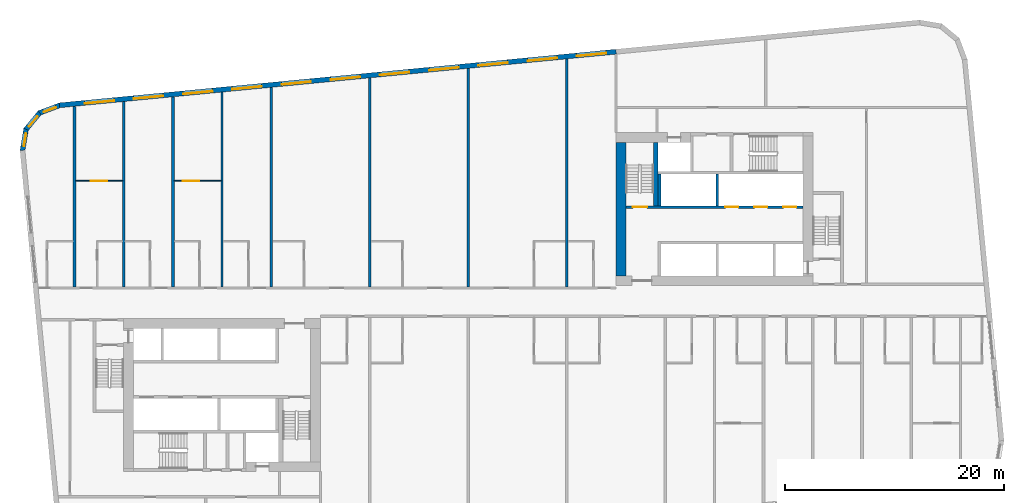
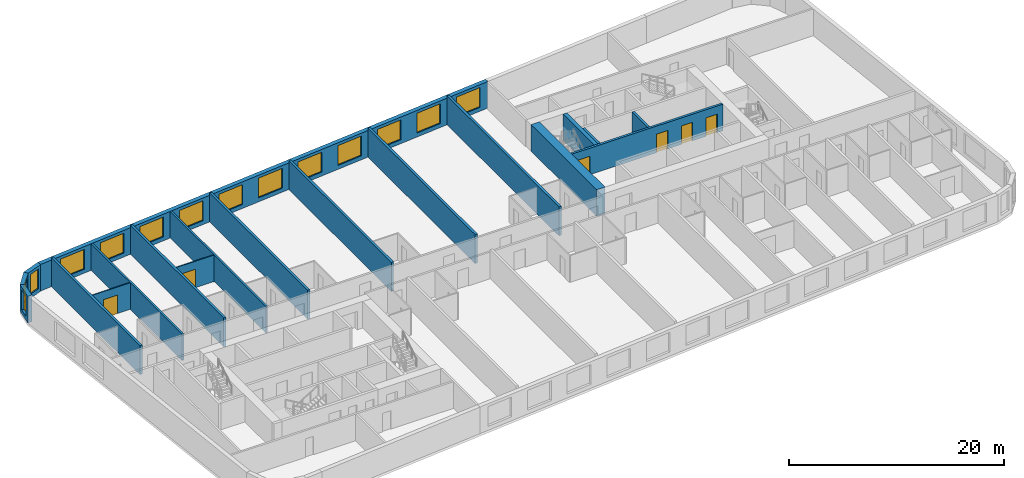
# One storey, part 6 of 12: 19 walls, 14 windows, 6 doors, 20 openings.
"""IFC4 building model written with IfcOpenShell, lengths in metres."""

from ifc_helpers import new_model, si_unit, direction, frame, frame_2d, origin, place, context, subcontext, project, spatial, polyline, rectangle, outline, extrude, material, layer, layer_set, type_object, element, fill, save


model = new_model("IFC4")

# Units and contexts
model_context = context("Model", 3, precision=1e-05, world=origin(), true_north=direction((0.0, 1.0)))
body_context = subcontext(model_context, "Body", "Model", "MODEL_VIEW")
ifc_project = project(units=[si_unit("LENGTHUNIT", "METRE"), si_unit("AREAUNIT", "SQUARE_METRE"), si_unit("VOLUMEUNIT", "CUBIC_METRE"), si_unit("PLANEANGLEUNIT", "RADIAN"), si_unit("MASSUNIT", "GRAM", prefix="KILO")], contexts=[model_context])

# Site, building, storey
site_placement = place(None, origin())
site = spatial("IfcSite", under=ifc_project, at=site_placement, CompositionType="ELEMENT")
building_placement = place(site_placement, origin())
building = spatial("IfcBuilding", under=site, at=building_placement, Name="Kajstack Hotel Tower", CompositionType="ELEMENT")
storey_placement = place(building_placement, frame((0.0, 0.0, 127.300048828125)))
storey = spatial("IfcBuildingStorey", under=building, at=storey_placement, Name="L28", CompositionType="ELEMENT", Elevation=127.300048828125)

# Walls
ifc_material_1 = material(Name="Concrete C60/75", Category="concrete")
ifc_layer_1 = layer(ifc_material_1, 0.89990234375)
ifc_layer_set_1 = layer_set([ifc_layer_1], Name="Core wall 900")
wall_type_1 = type_object("IfcWallType", Name="Core wall 900", PredefinedType="SHEAR", material=ifc_layer_set_1)
wall_1_placement = place(storey_placement, frame((13.949951171875, 2.39990234375, 0.0), z_axis=(0.0, 0.0, 1.0), x_axis=(0.0, 1.0, 0.0)))
element("IfcWall", 1, at=wall_1_placement, inside=storey, type_object=wall_type_1, Name="Core wall E RE", PredefinedType="SHEAR", context=body_context, shape_type="SweptSolid", body=[
    extrude(rectangle(XDim=12.2001953125, YDim=0.89990234375, at=frame_2d((6.10009765625, 0.0))), origin(), (0.0, 0.0, 1.0), 3.02001953125),
])
ifc_material_2 = material(Name="Twin-frame gypsum board on steel studs, mineral wool", Category="steel")
ifc_layer_2 = layer(ifc_material_2, 0.199951171875)
ifc_layer_set_2 = layer_set([ifc_layer_2], Name="Demising wall 200")
wall_type_2 = type_object("IfcWallType", Name="Demising wall 200", PredefinedType="PARTITIONING", material=ifc_layer_set_2)
wall_2_placement = place(storey_placement, frame((-31.5, 1.39990234375, 0.0), z_axis=(0.0, 0.0, 1.0), x_axis=(0.0, 1.0, 0.0)))
element("IfcWall", 2, at=wall_2_placement, inside=storey, type_object=wall_type_2, Name="G-wall-L28-006", PredefinedType="PARTITIONING", context=body_context, shape_type="SweptSolid", body=[
    extrude(rectangle(XDim=16.92919921875, YDim=0.199951171875, at=frame_2d((8.464599609375, 0.0))), origin(), (0.0, 0.0, 1.0), 3.02001953125),
])
wall_3_placement = place(storey_placement, frame((-22.5, 1.39990234375, 0.0), z_axis=(0.0, 0.0, 1.0), x_axis=(0.0, 1.0, 0.0)))
element("IfcWall", 3, at=wall_3_placement, inside=storey, type_object=wall_type_2, Name="G-wall-L28-012", PredefinedType="PARTITIONING", context=body_context, shape_type="SweptSolid", body=[
    extrude(rectangle(XDim=17.796142578125, YDim=0.199951171875, at=frame_2d((8.89794921875, 0.0))), origin(), (0.0, 0.0, 1.0), 3.02001953125),
])

# Wall, openings, windows
ifc_material_3 = material(Name="Terracotta-faced brick masonry", Category="masonry")
ifc_layer_3 = layer(ifc_material_3, 0.449951171875)
ifc_layer_set_3 = layer_set([ifc_layer_3], Name="EW-TERRA")
wall_type_3 = type_object("IfcWallType", Name="EW-TERRA", PredefinedType="SOLIDWALL", material=ifc_layer_set_3)
wall_4_placement = place(storey_placement, frame((13.521484375, 22.89013671875, 0.0), z_axis=(0.0, 0.0, 1.0), x_axis=(-0.995396445054, -0.095843190545, 0.0)))
wall_4 = element("IfcWall", 4, at=wall_4_placement, inside=storey, type_object=wall_type_3, Name="E-wall-L28-12-02", PredefinedType="SOLIDWALL", context=body_context, shape_type="SweptSolid", body=[
    extrude(rectangle(XDim=51.114013671875, YDim=0.449951171875, at=frame_2d((25.55712890625, 0.0))), origin(), (0.0, 0.0, 1.0), 3.02001953125),
])
opening_1_placement = place(wall_4_placement, frame((0.910400390625, 0.0, 0.449951171875)))
opening_1 = element("IfcOpeningElement", 5, at=opening_1_placement, cuts=wall_4, Name="Opening W1", PredefinedType="OPENING", context=body_context, shape_type="SweptSolid", body=[
    extrude(rectangle(XDim=2.699951171875, YDim=2.25, at=frame_2d((1.35009765625, 1.125))), frame((0.0, 0.23486328125, 0.0), z_axis=(0.0, -1.0, 0.0), x_axis=(1.0, 0.0, 0.0)), (0.0, 0.0, 1.0), 0.469970703125),
])
opening_2_placement = place(wall_4_placement, frame((5.43115234375, 0.0, 0.449951171875)))
opening_2 = element("IfcOpeningElement", 6, at=opening_2_placement, cuts=wall_4, Name="Opening W1", PredefinedType="OPENING", context=body_context, shape_type="SweptSolid", body=[
    extrude(rectangle(XDim=2.699951171875, YDim=2.25, at=frame_2d((1.35009765625, 1.125))), frame((0.0, 0.23486328125, 0.0), z_axis=(0.0, -1.0, 0.0), x_axis=(1.0, 0.0, 0.0)), (0.0, 0.0, 1.0), 0.469970703125),
])
opening_3_placement = place(wall_4_placement, frame((9.951904296875, 0.0, 0.449951171875)))
opening_3 = element("IfcOpeningElement", 7, at=opening_3_placement, cuts=wall_4, Name="Opening W1", PredefinedType="OPENING", context=body_context, shape_type="SweptSolid", body=[
    extrude(rectangle(XDim=2.699951171875, YDim=2.25, at=frame_2d((1.35009765625, 1.125))), frame((0.0, 0.23486328125, 0.0), z_axis=(0.0, -1.0, 0.0), x_axis=(1.0, 0.0, 0.0)), (0.0, 0.0, 1.0), 0.469970703125),
])
opening_4_placement = place(wall_4_placement, frame((14.472900390625, 0.0, 0.449951171875)))
opening_4 = element("IfcOpeningElement", 8, at=opening_4_placement, cuts=wall_4, Name="Opening W1", PredefinedType="OPENING", context=body_context, shape_type="SweptSolid", body=[
    extrude(rectangle(XDim=2.699951171875, YDim=2.25, at=frame_2d((1.35009765625, 1.125))), frame((0.0, 0.23486328125, 0.0), z_axis=(0.0, -1.0, 0.0), x_axis=(1.0, 0.0, 0.0)), (0.0, 0.0, 1.0), 0.469970703125),
])
opening_5_placement = place(wall_4_placement, frame((18.99365234375, 0.0, 0.449951171875)))
opening_5 = element("IfcOpeningElement", 9, at=opening_5_placement, cuts=wall_4, Name="Opening W1", PredefinedType="OPENING", context=body_context, shape_type="SweptSolid", body=[
    extrude(rectangle(XDim=2.699951171875, YDim=2.25, at=frame_2d((1.35009765625, 1.125))), frame((0.0, 0.23486328125, 0.0), z_axis=(0.0, -1.0, 0.0), x_axis=(1.0, 0.0, 0.0)), (0.0, 0.0, 1.0), 0.469970703125),
])
opening_6_placement = place(wall_4_placement, frame((23.514404296875, 0.0, 0.449951171875)))
opening_6 = element("IfcOpeningElement", 10, at=opening_6_placement, cuts=wall_4, Name="Opening W1", PredefinedType="OPENING", context=body_context, shape_type="SweptSolid", body=[
    extrude(rectangle(XDim=2.699951171875, YDim=2.25, at=frame_2d((1.35009765625, 1.125))), frame((0.0, 0.23486328125, 0.0), z_axis=(0.0, -1.0, 0.0), x_axis=(1.0, 0.0, 0.0)), (0.0, 0.0, 1.0), 0.469970703125),
])
opening_7_placement = place(wall_4_placement, frame((28.035400390625, 0.0, 0.449951171875)))
opening_7 = element("IfcOpeningElement", 11, at=opening_7_placement, cuts=wall_4, Name="Opening W1", PredefinedType="OPENING", context=body_context, shape_type="SweptSolid", body=[
    extrude(rectangle(XDim=2.699951171875, YDim=2.25, at=frame_2d((1.35009765625, 1.125))), frame((0.0, 0.23486328125, 0.0), z_axis=(0.0, -1.0, 0.0), x_axis=(1.0, 0.0, 0.0)), (0.0, 0.0, 1.0), 0.469970703125),
])
opening_8_placement = place(wall_4_placement, frame((32.55615234375, 0.0, 0.449951171875)))
opening_8 = element("IfcOpeningElement", 12, at=opening_8_placement, cuts=wall_4, Name="Opening W1", PredefinedType="OPENING", context=body_context, shape_type="SweptSolid", body=[
    extrude(rectangle(XDim=2.699951171875, YDim=2.25, at=frame_2d((1.35009765625, 1.125))), frame((0.0, 0.23486328125, 0.0), z_axis=(0.0, -1.0, 0.0), x_axis=(1.0, 0.0, 0.0)), (0.0, 0.0, 1.0), 0.469970703125),
])
opening_9_placement = place(wall_4_placement, frame((37.076904296875, 0.0, 0.449951171875)))
opening_9 = element("IfcOpeningElement", 13, at=opening_9_placement, cuts=wall_4, Name="Opening W1", PredefinedType="OPENING", context=body_context, shape_type="SweptSolid", body=[
    extrude(rectangle(XDim=2.699951171875, YDim=2.25, at=frame_2d((1.35009765625, 1.125))), frame((0.0, 0.23486328125, 0.0), z_axis=(0.0, -1.0, 0.0), x_axis=(1.0, 0.0, 0.0)), (0.0, 0.0, 1.0), 0.469970703125),
])
opening_10_placement = place(wall_4_placement, frame((41.59765625, 0.0, 0.449951171875)))
opening_10 = element("IfcOpeningElement", 14, at=opening_10_placement, cuts=wall_4, Name="Opening W1", PredefinedType="OPENING", context=body_context, shape_type="SweptSolid", body=[
    extrude(rectangle(XDim=2.699951171875, YDim=2.25, at=frame_2d((1.35009765625, 1.125))), frame((0.0, 0.23486328125, 0.0), z_axis=(0.0, -1.0, 0.0), x_axis=(1.0, 0.0, 0.0)), (0.0, 0.0, 1.0), 0.469970703125),
])
opening_11_placement = place(wall_4_placement, frame((46.118408203125, 0.0, 0.449951171875)))
opening_11 = element("IfcOpeningElement", 15, at=opening_11_placement, cuts=wall_4, Name="Opening W1", PredefinedType="OPENING", context=body_context, shape_type="SweptSolid", body=[
    extrude(rectangle(XDim=2.699951171875, YDim=2.25, at=frame_2d((1.35009765625, 1.125))), frame((0.0, 0.23486328125, 0.0), z_axis=(0.0, -1.0, 0.0), x_axis=(1.0, 0.0, 0.0)), (0.0, 0.0, 1.0), 0.469970703125),
])
ifc_material_4 = material(Name="Timber-aluminium window, triple glazed", Category="wood")
window_type_1 = type_object("IfcWindowType", Name="WG1", PartitioningType="SINGLE_PANEL", PredefinedType="WINDOW", material=ifc_material_4)
window_1_placement = place(opening_1_placement, origin())
window_1 = element("IfcWindow", 16, at=window_1_placement, inside=storey, type_object=window_type_1, Name="Window W1 L28-12", OverallHeight=2.25, OverallWidth=2.699951171875, PartitioningType="SINGLE_PANEL", PredefinedType="WINDOW", context=body_context, shape_type="SweptSolid", body=[
    extrude(rectangle(XDim=2.699951171875, YDim=2.25, at=frame_2d((1.35009765625, 1.125))), frame((0.0, 0.090087890625, 0.0), z_axis=(0.0, -1.0, 0.0), x_axis=(1.0, 0.0, 0.0)), (0.0, 0.0, 1.0), 0.06005859375),
])
fill(opening_1, window_1)
window_2_placement = place(opening_2_placement, origin())
window_2 = element("IfcWindow", 17, at=window_2_placement, inside=storey, type_object=window_type_1, Name="Window W1 L28-12", OverallHeight=2.25, OverallWidth=2.699951171875, PartitioningType="SINGLE_PANEL", PredefinedType="WINDOW", context=body_context, shape_type="SweptSolid", body=[
    extrude(rectangle(XDim=2.699951171875, YDim=2.25, at=frame_2d((1.35009765625, 1.125))), frame((0.0, 0.090087890625, 0.0), z_axis=(0.0, -1.0, 0.0), x_axis=(1.0, 0.0, 0.0)), (0.0, 0.0, 1.0), 0.06005859375),
])
fill(opening_2, window_2)
window_3_placement = place(opening_3_placement, origin())
window_3 = element("IfcWindow", 18, at=window_3_placement, inside=storey, type_object=window_type_1, Name="Window W1 L28-12", OverallHeight=2.25, OverallWidth=2.699951171875, PartitioningType="SINGLE_PANEL", PredefinedType="WINDOW", context=body_context, shape_type="SweptSolid", body=[
    extrude(rectangle(XDim=2.699951171875, YDim=2.25, at=frame_2d((1.35009765625, 1.125))), frame((0.0, 0.090087890625, 0.0), z_axis=(0.0, -1.0, 0.0), x_axis=(1.0, 0.0, 0.0)), (0.0, 0.0, 1.0), 0.06005859375),
])
fill(opening_3, window_3)
window_4_placement = place(opening_4_placement, origin())
window_4 = element("IfcWindow", 19, at=window_4_placement, inside=storey, type_object=window_type_1, Name="Window W1 L28-12", OverallHeight=2.25, OverallWidth=2.699951171875, PartitioningType="SINGLE_PANEL", PredefinedType="WINDOW", context=body_context, shape_type="SweptSolid", body=[
    extrude(rectangle(XDim=2.699951171875, YDim=2.25, at=frame_2d((1.35009765625, 1.125))), frame((0.0, 0.090087890625, 0.0), z_axis=(0.0, -1.0, 0.0), x_axis=(1.0, 0.0, 0.0)), (0.0, 0.0, 1.0), 0.06005859375),
])
fill(opening_4, window_4)
window_5_placement = place(opening_5_placement, origin())
window_5 = element("IfcWindow", 20, at=window_5_placement, inside=storey, type_object=window_type_1, Name="Window W1 L28-12", OverallHeight=2.25, OverallWidth=2.699951171875, PartitioningType="SINGLE_PANEL", PredefinedType="WINDOW", context=body_context, shape_type="SweptSolid", body=[
    extrude(rectangle(XDim=2.699951171875, YDim=2.25, at=frame_2d((1.35009765625, 1.125))), frame((0.0, 0.090087890625, 0.0), z_axis=(0.0, -1.0, 0.0), x_axis=(1.0, 0.0, 0.0)), (0.0, 0.0, 1.0), 0.06005859375),
])
fill(opening_5, window_5)
window_6_placement = place(opening_6_placement, origin())
window_6 = element("IfcWindow", 21, at=window_6_placement, inside=storey, type_object=window_type_1, Name="Window W1 L28-12", OverallHeight=2.25, OverallWidth=2.699951171875, PartitioningType="SINGLE_PANEL", PredefinedType="WINDOW", context=body_context, shape_type="SweptSolid", body=[
    extrude(rectangle(XDim=2.699951171875, YDim=2.25, at=frame_2d((1.35009765625, 1.125))), frame((0.0, 0.090087890625, 0.0), z_axis=(0.0, -1.0, 0.0), x_axis=(1.0, 0.0, 0.0)), (0.0, 0.0, 1.0), 0.06005859375),
])
fill(opening_6, window_6)
window_7_placement = place(opening_7_placement, origin())
window_7 = element("IfcWindow", 22, at=window_7_placement, inside=storey, type_object=window_type_1, Name="Window W1 L28-12", OverallHeight=2.25, OverallWidth=2.699951171875, PartitioningType="SINGLE_PANEL", PredefinedType="WINDOW", context=body_context, shape_type="SweptSolid", body=[
    extrude(rectangle(XDim=2.699951171875, YDim=2.25, at=frame_2d((1.35009765625, 1.125))), frame((0.0, 0.090087890625, 0.0), z_axis=(0.0, -1.0, 0.0), x_axis=(1.0, 0.0, 0.0)), (0.0, 0.0, 1.0), 0.06005859375),
])
fill(opening_7, window_7)
window_8_placement = place(opening_8_placement, origin())
window_8 = element("IfcWindow", 23, at=window_8_placement, inside=storey, type_object=window_type_1, Name="Window W1 L28-12", OverallHeight=2.25, OverallWidth=2.699951171875, PartitioningType="SINGLE_PANEL", PredefinedType="WINDOW", context=body_context, shape_type="SweptSolid", body=[
    extrude(rectangle(XDim=2.699951171875, YDim=2.25, at=frame_2d((1.35009765625, 1.125))), frame((0.0, 0.090087890625, 0.0), z_axis=(0.0, -1.0, 0.0), x_axis=(1.0, 0.0, 0.0)), (0.0, 0.0, 1.0), 0.06005859375),
])
fill(opening_8, window_8)
window_9_placement = place(opening_9_placement, origin())
window_9 = element("IfcWindow", 24, at=window_9_placement, inside=storey, type_object=window_type_1, Name="Window W1 L28-12", OverallHeight=2.25, OverallWidth=2.699951171875, PartitioningType="SINGLE_PANEL", PredefinedType="WINDOW", context=body_context, shape_type="SweptSolid", body=[
    extrude(rectangle(XDim=2.699951171875, YDim=2.25, at=frame_2d((1.35009765625, 1.125))), frame((0.0, 0.090087890625, 0.0), z_axis=(0.0, -1.0, 0.0), x_axis=(1.0, 0.0, 0.0)), (0.0, 0.0, 1.0), 0.06005859375),
])
fill(opening_9, window_9)
window_10_placement = place(opening_10_placement, origin())
window_10 = element("IfcWindow", 25, at=window_10_placement, inside=storey, type_object=window_type_1, Name="Window W1 L28-12", OverallHeight=2.25, OverallWidth=2.699951171875, PartitioningType="SINGLE_PANEL", PredefinedType="WINDOW", context=body_context, shape_type="SweptSolid", body=[
    extrude(rectangle(XDim=2.699951171875, YDim=2.25, at=frame_2d((1.35009765625, 1.125))), frame((0.0, 0.090087890625, 0.0), z_axis=(0.0, -1.0, 0.0), x_axis=(1.0, 0.0, 0.0)), (0.0, 0.0, 1.0), 0.06005859375),
])
fill(opening_10, window_10)
window_11_placement = place(opening_11_placement, origin())
window_11 = element("IfcWindow", 26, at=window_11_placement, inside=storey, type_object=window_type_1, Name="Window W1 L28-12", OverallHeight=2.25, OverallWidth=2.699951171875, PartitioningType="SINGLE_PANEL", PredefinedType="WINDOW", context=body_context, shape_type="SweptSolid", body=[
    extrude(rectangle(XDim=2.699951171875, YDim=2.25, at=frame_2d((1.35009765625, 1.125))), frame((0.0, 0.090087890625, 0.0), z_axis=(0.0, -1.0, 0.0), x_axis=(1.0, 0.0, 0.0)), (0.0, 0.0, 1.0), 0.06005859375),
])
fill(opening_11, window_11)

# Wall, opening, window
wall_5_placement = place(storey_placement, frame((-37.300048828125, 18.00439453125, 0.0), z_axis=(0.0, 0.0, 1.0), x_axis=(-0.936677599948, -0.350192909346, 0.0)))
wall_5 = element("IfcWall", 27, at=wall_5_placement, inside=storey, type_object=wall_type_3, Name="E-wall-L28-13-00", PredefinedType="SOLIDWALL", context=body_context, shape_type="SweptSolid", body=[
    extrude(outline(polyline([(0.0, -0.224853515625), (2.070556640625, -0.224853515625), (1.949951171875, 0.22509765625), (0.12060546875, 0.22509765625), (0.0, -0.224853515625)])), origin(), (0.0, 0.0, 1.0), 3.02001953125),
])
opening_12_placement = place(wall_5_placement, frame((0.435302734375, 0.0, 0.449951171875)))
opening_12 = element("IfcOpeningElement", 28, at=opening_12_placement, cuts=wall_5, Name="Opening W3", PredefinedType="OPENING", context=body_context, shape_type="SweptSolid", body=[
    extrude(rectangle(XDim=1.199951171875, YDim=2.25, at=frame_2d((0.60009765625, 1.125))), frame((0.0, 0.23486328125, 0.0), z_axis=(0.0, -1.0, 0.0), x_axis=(1.0, 0.0, 0.0)), (0.0, 0.0, 1.0), 0.469970703125),
])
window_type_2 = type_object("IfcWindowType", Name="WG3", PartitioningType="SINGLE_PANEL", PredefinedType="WINDOW", material=ifc_material_4)
window_12_placement = place(opening_12_placement, origin())
window_12 = element("IfcWindow", 29, at=window_12_placement, inside=storey, type_object=window_type_2, Name="Window W3 L28-13", OverallHeight=2.25, OverallWidth=1.199951171875, PartitioningType="SINGLE_PANEL", PredefinedType="WINDOW", context=body_context, shape_type="SweptSolid", body=[
    extrude(rectangle(XDim=1.199951171875, YDim=2.25, at=frame_2d((0.60009765625, 1.125))), frame((0.0, 0.090087890625, 0.0), z_axis=(0.0, -1.0, 0.0), x_axis=(1.0, 0.0, 0.0)), (0.0, 0.0, 1.0), 0.06005859375),
])
fill(opening_12, window_12)

wall_6_placement = place(storey_placement, frame((-39.144775390625, 17.346923828125, 0.0), z_axis=(0.0, 0.0, 1.0), x_axis=(-0.636046112757, -0.771651049663, 0.0)))
wall_6 = element("IfcWall", 30, at=wall_6_placement, inside=storey, type_object=wall_type_3, Name="E-wall-L28-14-00", PredefinedType="SOLIDWALL", context=body_context, shape_type="SweptSolid", body=[
    extrude(outline(polyline([(0.0, -0.224853515625), (2.070556640625, -0.224853515625), (1.949951171875, 0.22509765625), (0.12060546875, 0.22509765625), (0.0, -0.224853515625)])), origin(), (0.0, 0.0, 1.0), 3.02001953125),
])
opening_13_placement = place(wall_6_placement, frame((0.435302734375, 0.0, 0.449951171875)))
opening_13 = element("IfcOpeningElement", 31, at=opening_13_placement, cuts=wall_6, Name="Opening W3", PredefinedType="OPENING", context=body_context, shape_type="SweptSolid", body=[
    extrude(rectangle(XDim=1.199951171875, YDim=2.25, at=frame_2d((0.60009765625, 1.125))), frame((0.0, 0.23486328125, 0.0), z_axis=(0.0, -1.0, 0.0), x_axis=(1.0, 0.0, 0.0)), (0.0, 0.0, 1.0), 0.469970703125),
])
window_13_placement = place(opening_13_placement, origin())
window_13 = element("IfcWindow", 32, at=window_13_placement, inside=storey, type_object=window_type_2, Name="Window W3 L28-14", OverallHeight=2.25, OverallWidth=1.199951171875, PartitioningType="SINGLE_PANEL", PredefinedType="WINDOW", context=body_context, shape_type="SweptSolid", body=[
    extrude(rectangle(XDim=1.199951171875, YDim=2.25, at=frame_2d((0.60009765625, 1.125))), frame((0.0, 0.090087890625, 0.0), z_axis=(0.0, -1.0, 0.0), x_axis=(1.0, 0.0, 0.0)), (0.0, 0.0, 1.0), 0.06005859375),
])
fill(opening_13, window_13)

wall_7_placement = place(storey_placement, frame((-40.413330078125, 15.855224609375, 0.0), z_axis=(0.0, 0.0, 1.0), x_axis=(-0.165068144653, -0.986282164302, 0.0)))
wall_7 = element("IfcWall", 33, at=wall_7_placement, inside=storey, type_object=wall_type_3, Name="E-wall-L28-15-00", PredefinedType="SOLIDWALL", context=body_context, shape_type="SweptSolid", body=[
    extrude(outline(polyline([(0.0, -0.22509765625), (2.070556640625, -0.224853515625), (1.9501953125, 0.22509765625), (0.12060546875, 0.224853515625), (0.0, -0.22509765625)])), origin(), (0.0, 0.0, 1.0), 3.02001953125),
])
opening_14_placement = place(wall_7_placement, frame((0.435302734375, 0.0, 0.449951171875)))
opening_14 = element("IfcOpeningElement", 34, at=opening_14_placement, cuts=wall_7, Name="Opening W3", PredefinedType="OPENING", context=body_context, shape_type="SweptSolid", body=[
    extrude(rectangle(XDim=1.199951171875, YDim=2.25, at=frame_2d((0.60009765625, 1.125))), frame((0.0, 0.23486328125, 0.0), z_axis=(0.0, -1.0, 0.0), x_axis=(1.0, 0.0, 0.0)), (0.0, 0.0, 1.0), 0.469970703125),
])
window_14_placement = place(opening_14_placement, origin())
window_14 = element("IfcWindow", 35, at=window_14_placement, inside=storey, type_object=window_type_2, Name="Window W3 L28-15", OverallHeight=2.25, OverallWidth=1.199951171875, PartitioningType="SINGLE_PANEL", PredefinedType="WINDOW", context=body_context, shape_type="SweptSolid", body=[
    extrude(rectangle(XDim=1.199951171875, YDim=2.25, at=frame_2d((0.60009765625, 1.125))), frame((0.0, 0.090087890625, 0.0), z_axis=(0.0, -1.0, 0.0), x_axis=(1.0, 0.0, 0.0)), (0.0, 0.0, 1.0), 0.06005859375),
])
fill(opening_14, window_14)

# Wall
ifc_material_5 = material(Name="Concrete C50/60", Category="concrete")
ifc_layer_4 = layer(ifc_material_5, 0.300048828125)
ifc_layer_set_4 = layer_set([ifc_layer_4], Name="Hoistway divider wall 300")
wall_type_4 = type_object("IfcWallType", Name="Hoistway divider wall 300", PredefinedType="SHEAR", material=ifc_layer_set_4)
wall_8_placement = place(storey_placement, frame((22.77490234375, 8.800048828125, 0.0), z_axis=(0.0, 0.0, 1.0), x_axis=(0.0, 1.0, 0.0)))
element("IfcWall", 36, at=wall_8_placement, inside=storey, type_object=wall_type_4, Name="Core wall E BP2", PredefinedType="SHEAR", context=body_context, shape_type="SweptSolid", body=[
    extrude(rectangle(XDim=2.89990234375, YDim=0.25, at=frame_2d((1.449951171875, 0.0))), origin(), (0.0, 0.0, 1.0), 3.02001953125),
])

# Wall, opening, door
ifc_material_6 = material(Name="Gypsum board on steel studs", Category="steel")
ifc_layer_5 = layer(ifc_material_6, 0.10009765625)
ifc_layer_set_5 = layer_set([ifc_layer_5], Name="Partition 100")
wall_type_5 = type_object("IfcWallType", Name="Partition 100", PredefinedType="PARTITIONING", material=ifc_layer_set_5)
wall_9_placement = place(storey_placement, frame((-35.875, 11.074951171875, 0.0), z_axis=(0.0, 0.0, 1.0), x_axis=(1.0, 0.0, 0.0)))
wall_9 = element("IfcWall", 37, at=wall_9_placement, inside=storey, type_object=wall_type_5, Name="G-wall-L28-009", PredefinedType="PARTITIONING", context=body_context, shape_type="SweptSolid", body=[
    extrude(rectangle(XDim=4.27490234375, YDim=0.10009765625, at=frame_2d((2.137451171875, 0.0))), origin(), (0.0, 0.0, 1.0), 3.02001953125),
])
opening_15_placement = place(wall_9_placement, frame((1.387939453125, 0.0, 0.0)))
opening_15 = element("IfcOpeningElement", 38, at=opening_15_placement, cuts=wall_9, Name="Opening 28005", PredefinedType="OPENING", context=body_context, shape_type="SweptSolid", body=[
    extrude(rectangle(XDim=1.5, YDim=2.10009765625, at=frame_2d((0.75, 1.050048828125))), frame((0.0, 0.06005859375, 0.0), z_axis=(0.0, -1.0, 0.0), x_axis=(1.0, 0.0, 0.0)), (0.0, 0.0, 1.0), 0.1201171875),
])
ifc_material_7 = material(Name="Painted timber door leaves, glazed panels", Category="wood")
door_type_1 = type_object("IfcDoorType", Name="Double door 1500", OperationType="SINGLE_SWING_LEFT", PredefinedType="DOOR", material=ifc_material_7)
door_1_placement = place(opening_15_placement, origin())
door_1 = element("IfcDoor", 39, at=door_1_placement, inside=storey, type_object=door_type_1, Name="G-door-L28-05", OperationType="SINGLE_SWING_LEFT", OverallHeight=2.10009765625, OverallWidth=1.5, PredefinedType="DOOR", context=body_context, shape_type="SweptSolid", body=[
    extrude(rectangle(XDim=1.5, YDim=2.10009765625, at=frame_2d((0.75, 1.050048828125))), frame((0.0, 0.02490234375, 0.0), z_axis=(0.0, -1.0, 0.0), x_axis=(1.0, 0.0, 0.0)), (0.0, 0.0, 1.0), 0.050048828125),
])
fill(opening_15, door_1)

wall_10_placement = place(storey_placement, frame((-26.875, 11.074951171875, 0.0), z_axis=(0.0, 0.0, 1.0), x_axis=(1.0, 0.0, 0.0)))
wall_10 = element("IfcWall", 40, at=wall_10_placement, inside=storey, type_object=wall_type_5, Name="G-wall-L28-015", PredefinedType="PARTITIONING", context=body_context, shape_type="SweptSolid", body=[
    extrude(rectangle(XDim=4.27490234375, YDim=0.10009765625, at=frame_2d((2.137451171875, 0.0))), origin(), (0.0, 0.0, 1.0), 3.02001953125),
])
opening_16_placement = place(wall_10_placement, frame((0.787109375, 0.0, 0.0)))
opening_16 = element("IfcOpeningElement", 41, at=opening_16_placement, cuts=wall_10, Name="Opening 28010", PredefinedType="OPENING", context=body_context, shape_type="SweptSolid", body=[
    extrude(rectangle(XDim=1.5, YDim=2.10009765625, at=frame_2d((0.75, 1.050048828125))), frame((0.0, 0.06005859375, 0.0), z_axis=(0.0, -1.0, 0.0), x_axis=(1.0, 0.0, 0.0)), (0.0, 0.0, 1.0), 0.1201171875),
])
door_2_placement = place(opening_16_placement, origin())
door_2 = element("IfcDoor", 42, at=door_2_placement, inside=storey, type_object=door_type_1, Name="G-door-L28-10", OperationType="SINGLE_SWING_LEFT", OverallHeight=2.10009765625, OverallWidth=1.5, PredefinedType="DOOR", context=body_context, shape_type="SweptSolid", body=[
    extrude(rectangle(XDim=1.5, YDim=2.10009765625, at=frame_2d((0.75, 1.050048828125))), frame((0.0, 0.02490234375, 0.0), z_axis=(0.0, -1.0, 0.0), x_axis=(1.0, 0.0, 0.0)), (0.0, 0.0, 1.0), 0.050048828125),
])
fill(opening_16, door_2)

# Walls
ifc_material_8 = material(Name="Concrete C55/67", Category="concrete")
ifc_layer_6 = layer(ifc_material_8, 0.25)
ifc_layer_set_6 = layer_set([ifc_layer_6], Name="RC cross wall 250 C55/67")
wall_type_6 = type_object("IfcWallType", Name="RC cross wall 250 C55/67", PredefinedType="SHEAR", material=ifc_layer_set_6)
wall_11_placement = place(storey_placement, frame((-36.0, 1.39990234375, 0.0), z_axis=(0.0, 0.0, 1.0), x_axis=(0.0, 1.0, 0.0)))
element("IfcWall", 43, at=wall_11_placement, inside=storey, type_object=wall_type_6, Name="S-wall-L28-01", PredefinedType="SHEAR", context=body_context, shape_type="SweptSolid", body=[
    extrude(rectangle(XDim=16.473876953125, YDim=0.25, at=frame_2d((8.23681640625, 0.0))), origin(), (0.0, 0.0, 1.0), 3.300048828125),
])
wall_12_placement = place(storey_placement, frame((-27.0, 1.39990234375, 0.0), z_axis=(0.0, 0.0, 1.0), x_axis=(0.0, 1.0, 0.0)))
element("IfcWall", 44, at=wall_12_placement, inside=storey, type_object=wall_type_6, Name="S-wall-L28-02", PredefinedType="SHEAR", context=body_context, shape_type="SweptSolid", body=[
    extrude(rectangle(XDim=17.34033203125, YDim=0.25, at=frame_2d((8.670166015625, 0.0))), origin(), (0.0, 0.0, 1.0), 3.300048828125),
])
wall_13_placement = place(storey_placement, frame((-18.0, 1.39990234375, 0.0), z_axis=(0.0, 0.0, 1.0), x_axis=(0.0, 1.0, 0.0)))
element("IfcWall", 45, at=wall_13_placement, inside=storey, type_object=wall_type_6, Name="S-wall-L28-03", PredefinedType="SHEAR", context=body_context, shape_type="SweptSolid", body=[
    extrude(rectangle(XDim=18.20703125, YDim=0.25, at=frame_2d((9.103515625, 0.0))), origin(), (0.0, 0.0, 1.0), 3.300048828125),
])
wall_14_placement = place(storey_placement, frame((-9.0, 1.39990234375, 0.0), z_axis=(0.0, 0.0, 1.0), x_axis=(0.0, 1.0, 0.0)))
element("IfcWall", 46, at=wall_14_placement, inside=storey, type_object=wall_type_6, Name="S-wall-L28-05", PredefinedType="SHEAR", context=body_context, shape_type="SweptSolid", body=[
    extrude(rectangle(XDim=19.073486328125, YDim=0.25, at=frame_2d((9.53662109375, 0.0))), origin(), (0.0, 0.0, 1.0), 3.300048828125),
])
wall_15_placement = place(storey_placement, frame((0.0, 1.39990234375, 0.0), z_axis=(0.0, 0.0, 1.0), x_axis=(0.0, 1.0, 0.0)))
element("IfcWall", 47, at=wall_15_placement, inside=storey, type_object=wall_type_6, Name="S-wall-L28-07", PredefinedType="SHEAR", context=body_context, shape_type="SweptSolid", body=[
    extrude(rectangle(XDim=19.940185546875, YDim=0.25, at=frame_2d((9.97021484375, 0.0))), origin(), (0.0, 0.0, 1.0), 3.300048828125),
])
wall_16_placement = place(storey_placement, frame((9.0, 1.39990234375, 0.0), z_axis=(0.0, 0.0, 1.0), x_axis=(0.0, 1.0, 0.0)))
element("IfcWall", 48, at=wall_16_placement, inside=storey, type_object=wall_type_6, Name="S-wall-L28-09", PredefinedType="SHEAR", context=body_context, shape_type="SweptSolid", body=[
    extrude(rectangle(XDim=20.806884765625, YDim=0.25, at=frame_2d((10.4033203125, 0.0))), origin(), (0.0, 0.0, 1.0), 3.300048828125),
])

# Wall, openings, doors
ifc_layer_7 = layer(ifc_material_5, 0.25)
ifc_layer_set_7 = layer_set([ifc_layer_7], Name="Shaft wall 250")
wall_type_7 = type_object("IfcWallType", Name="Shaft wall 250", PredefinedType="SHEAR", material=ifc_layer_set_7)
wall_17_placement = place(storey_placement, frame((14.39990234375, 8.675048828125, 0.0), z_axis=(0.0, 0.0, 1.0), x_axis=(1.0, 0.0, 0.0)))
wall_17 = element("IfcWall", 49, at=wall_17_placement, inside=storey, type_object=wall_type_7, Name="Core wall E FB", PredefinedType="SHEAR", context=body_context, shape_type="SweptSolid", body=[
    extrude(rectangle(XDim=16.2001953125, YDim=0.25, at=frame_2d((8.10009765625, 0.0))), origin(), (0.0, 0.0, 1.0), 3.02001953125),
])
opening_17_placement = place(wall_17_placement, frame((14.39990234375, 0.0, 0.0)))
opening_17 = element("IfcOpeningElement", 50, at=opening_17_placement, cuts=wall_17, Name="Opening LD-LR4", PredefinedType="OPENING", context=body_context, shape_type="SweptSolid", body=[
    extrude(rectangle(XDim=1.199951171875, YDim=2.10009765625, at=frame_2d((0.60009765625, 1.050048828125))), frame((0.0, 0.135009765625, 0.0), z_axis=(0.0, -1.0, 0.0), x_axis=(1.0, 0.0, 0.0)), (0.0, 0.0, 1.0), 0.27001953125),
])
opening_18_placement = place(wall_17_placement, frame((11.75, 0.0, 0.0)))
opening_18 = element("IfcOpeningElement", 51, at=opening_18_placement, cuts=wall_17, Name="Opening LD-LR5", PredefinedType="OPENING", context=body_context, shape_type="SweptSolid", body=[
    extrude(rectangle(XDim=1.199951171875, YDim=2.10009765625, at=frame_2d((0.60009765625, 1.050048828125))), frame((0.0, 0.135009765625, 0.0), z_axis=(0.0, -1.0, 0.0), x_axis=(1.0, 0.0, 0.0)), (0.0, 0.0, 1.0), 0.27001953125),
])
opening_19_placement = place(wall_17_placement, frame((9.10009765625, 0.0, 0.0)))
opening_19 = element("IfcOpeningElement", 52, at=opening_19_placement, cuts=wall_17, Name="Opening LD-LR6", PredefinedType="OPENING", context=body_context, shape_type="SweptSolid", body=[
    extrude(rectangle(XDim=1.199951171875, YDim=2.10009765625, at=frame_2d((0.60009765625, 1.050048828125))), frame((0.0, 0.135009765625, 0.0), z_axis=(0.0, -1.0, 0.0), x_axis=(1.0, 0.0, 0.0)), (0.0, 0.0, 1.0), 0.27001953125),
])
opening_20_placement = place(wall_17_placement, frame((0.64990234375, 0.0, 0.0)))
opening_20 = element("IfcOpeningElement", 53, at=opening_20_placement, cuts=wall_17, Name="Opening 28E10", PredefinedType="OPENING", context=body_context, shape_type="SweptSolid", body=[
    extrude(rectangle(XDim=1.300048828125, YDim=2.10009765625, at=frame_2d((0.64990234375, 1.050048828125))), frame((0.0, 0.135009765625, 0.0), z_axis=(0.0, -1.0, 0.0), x_axis=(1.0, 0.0, 0.0)), (0.0, 0.0, 1.0), 0.27001953125),
])
ifc_material_9 = material(Name="Stainless steel", Category="steel")
door_type_2 = type_object("IfcDoorType", Name="Lift landing door 1200", OperationType="SLIDING_TO_LEFT", PredefinedType="DOOR", material=ifc_material_9)
door_3_placement = place(opening_17_placement, origin())
door_3 = element("IfcDoor", 54, at=door_3_placement, inside=storey, type_object=door_type_2, Name="Landing door LR4", OperationType="SLIDING_TO_LEFT", OverallHeight=2.10009765625, OverallWidth=1.199951171875, PredefinedType="DOOR", context=body_context, shape_type="SweptSolid", body=[
    extrude(rectangle(XDim=1.199951171875, YDim=2.10009765625, at=frame_2d((0.60009765625, 1.050048828125))), frame((0.0, 0.02490234375, 0.0), z_axis=(0.0, -1.0, 0.0), x_axis=(1.0, 0.0, 0.0)), (0.0, 0.0, 1.0), 0.050048828125),
])
fill(opening_17, door_3)
door_4_placement = place(opening_18_placement, origin())
door_4 = element("IfcDoor", 55, at=door_4_placement, inside=storey, type_object=door_type_2, Name="Landing door LR5", OperationType="SLIDING_TO_RIGHT", OverallHeight=2.10009765625, OverallWidth=1.199951171875, PredefinedType="DOOR", context=body_context, shape_type="SweptSolid", body=[
    extrude(rectangle(XDim=1.199951171875, YDim=2.10009765625, at=frame_2d((0.60009765625, 1.050048828125))), frame((0.0, 0.02490234375, 0.0), z_axis=(0.0, -1.0, 0.0), x_axis=(1.0, 0.0, 0.0)), (0.0, 0.0, 1.0), 0.050048828125),
])
fill(opening_18, door_4)
door_5_placement = place(opening_19_placement, origin())
door_5 = element("IfcDoor", 56, at=door_5_placement, inside=storey, type_object=door_type_2, Name="Landing door LR6", OperationType="SLIDING_TO_RIGHT", OverallHeight=2.10009765625, OverallWidth=1.199951171875, PredefinedType="DOOR", context=body_context, shape_type="SweptSolid", body=[
    extrude(rectangle(XDim=1.199951171875, YDim=2.10009765625, at=frame_2d((0.60009765625, 1.050048828125))), frame((0.0, 0.02490234375, 0.0), z_axis=(0.0, -1.0, 0.0), x_axis=(1.0, 0.0, 0.0)), (0.0, 0.0, 1.0), 0.050048828125),
])
fill(opening_19, door_5)
ifc_material_10 = material(Name="Steel leaf, fire-rated", Category="steel")
door_type_3 = type_object("IfcDoorType", Name="Stair door 1300", OperationType="SINGLE_SWING_LEFT", PredefinedType="DOOR", material=ifc_material_10)
door_6_placement = place(opening_20_placement, origin())
door_6 = element("IfcDoor", 57, at=door_6_placement, inside=storey, type_object=door_type_3, Name="Door 28E10", OperationType="SINGLE_SWING_LEFT", OverallHeight=2.10009765625, OverallWidth=1.300048828125, PredefinedType="DOOR", context=body_context, shape_type="SweptSolid", body=[
    extrude(rectangle(XDim=1.300048828125, YDim=2.10009765625, at=frame_2d((0.64990234375, 1.050048828125))), frame((0.0, 0.02490234375, 0.0), z_axis=(0.0, -1.0, 0.0), x_axis=(1.0, 0.0, 0.0)), (0.0, 0.0, 1.0), 0.050048828125),
])
fill(opening_20, door_6)

# Walls
wall_18_placement = place(storey_placement, frame((17.47509765625, 8.800048828125, 0.0), z_axis=(0.0, 0.0, 1.0), x_axis=(0.0, 1.0, 0.0)))
element("IfcWall", 58, at=wall_18_placement, inside=storey, type_object=wall_type_7, Name="Core wall E BE", PredefinedType="SHEAR", context=body_context, shape_type="SweptSolid", body=[
    extrude(rectangle(XDim=2.89990234375, YDim=0.25, at=frame_2d((1.449951171875, 0.0))), origin(), (0.0, 0.0, 1.0), 3.02001953125),
])
ifc_layer_8 = layer(ifc_material_5, 0.39990234375)
ifc_layer_set_8 = layer_set([ifc_layer_8], Name="Stair wall 400")
wall_type_8 = type_object("IfcWallType", Name="Stair wall 400", PredefinedType="SHEAR", material=ifc_layer_set_8)
wall_19_placement = place(storey_placement, frame((17.14990234375, 8.800048828125, 0.0), z_axis=(0.0, 0.0, 1.0), x_axis=(0.0, 1.0, 0.0)))
element("IfcWall", 59, at=wall_19_placement, inside=storey, type_object=wall_type_8, Name="Core wall E WW2", PredefinedType="SHEAR", context=body_context, shape_type="SweptSolid", body=[
    extrude(rectangle(XDim=5.800048828125, YDim=0.39990234375, at=frame_2d((2.89990234375, 0.0))), origin(), (0.0, 0.0, 1.0), 3.02001953125),
])

save(model, "model.ifc")
